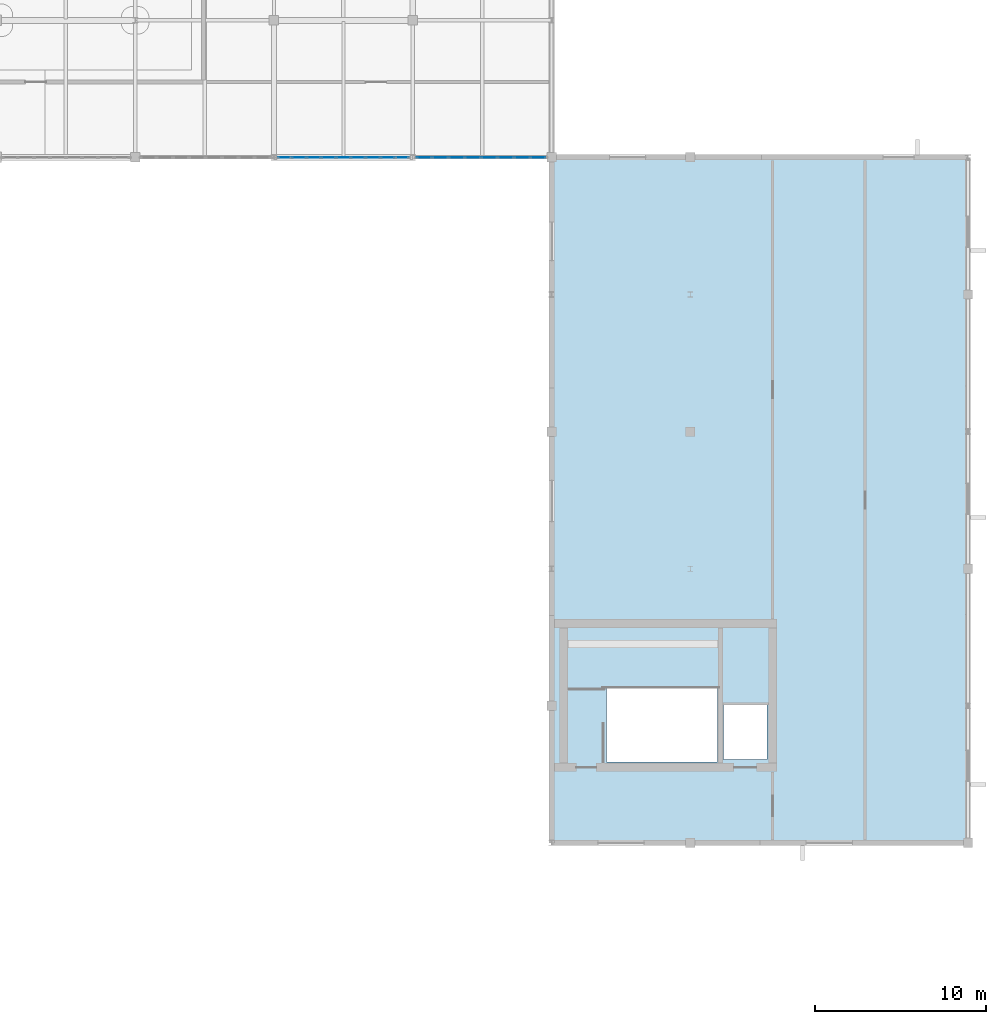
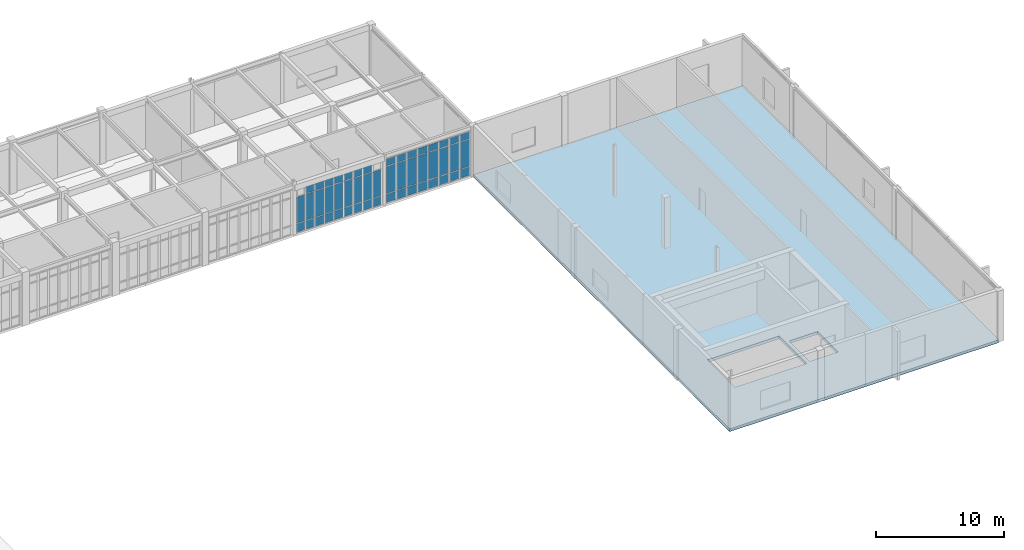
# One storey, part 49 of 70: 49 plates, 1 slab, 2 elements without a shape of their own.
"""IFC4 building model written with IfcOpenShell, lengths in metres."""

from ifc_helpers import new_model, si_unit, direction, frame, origin, origin_2d, place, context, subcontext, project, spatial, polyline, rectangle, outline, extrude, material, layer, layer_set, type_object, element, aggregate, save


model = new_model("IFC4")

# Units and contexts
model_context = context("Model", 3, precision=1e-05, world=origin(), true_north=direction((0.0, 1.0)))
body_context = subcontext(model_context, "Body", "Model", "MODEL_VIEW")
ifc_project = project(units=[si_unit("LENGTHUNIT", "METRE"), si_unit("AREAUNIT", "SQUARE_METRE"), si_unit("VOLUMEUNIT", "CUBIC_METRE"), si_unit("PLANEANGLEUNIT", "RADIAN"), si_unit("MASSUNIT", "GRAM", prefix="KILO")], contexts=[model_context])

# Site, building, storey
site_placement = place(None, origin())
site = spatial("IfcSite", under=ifc_project, at=site_placement, CompositionType="ELEMENT")
building_placement = place(site_placement, origin())
building = spatial("IfcBuilding", under=site, at=building_placement, Name="Tarnveldt Square Police Headquarters", CompositionType="ELEMENT")
storey_placement = place(building_placement, frame((0.0, 0.0, 19.800048828125)))
storey = spatial("IfcBuildingStorey", under=building, at=storey_placement, Name="L04", CompositionType="ELEMENT", Elevation=19.800048828125)

# Curtain wall, plates
ifc_material_1 = material(Name="Triple-glazed low-e laminated vision glass", Category="glass")
curtain_wall_type_1 = type_object("IfcCurtainWallType", Name="CW-LB-776x420", PredefinedType="USERDEFINED", material=ifc_material_1)
curtain_wall_1_placement = place(storey_placement, origin())
curtain_wall_1 = element("IfcCurtainWall", 1, at=curtain_wall_1_placement, inside=storey, type_object=curtain_wall_type_1, Name="L04 Curtain Wall CW-L04-131", ObjectType="GLAZED CURTAIN WALL", PredefinedType="USERDEFINED")
ifc_layer_1 = layer(ifc_material_1, 0.028076171875)
ifc_layer_set_1 = layer_set([ifc_layer_1], Name="Triple-glazed low-e laminated vision glass")
plate_type = type_object("IfcPlateType", Name="CWP-VIS-28", PredefinedType="CURTAIN_PANEL", material=ifc_layer_set_1)
plate_1_placement = place(storey_placement, frame((89.718994140625, 96.0, 0.06494140625), z_axis=(0.0, 0.0, 1.0), x_axis=(1.0, 0.0, 0.0)))
plate_1 = element("IfcPlate", 2, at=plate_1_placement, type_object=plate_type, Name="CW-LB79 panel 1.1", PredefinedType="CURTAIN_PANEL", context=body_context, shape_type="SweptSolid", body=[
    extrude(rectangle(XDim=0.75, YDim=0.028076171875, at=origin_2d()), origin(), (0.0, 0.0, 1.0), 0.802490234375),
])
plate_2_placement = place(storey_placement, frame((89.718994140625, 96.0, 0.9326171875), z_axis=(0.0, 0.0, 1.0), x_axis=(1.0, 0.0, 0.0)))
plate_2 = element("IfcPlate", 3, at=plate_2_placement, type_object=plate_type, Name="CW-LB79 panel 1.2", PredefinedType="CURTAIN_PANEL", context=body_context, shape_type="SweptSolid", body=[
    extrude(rectangle(XDim=0.75, YDim=0.028076171875, at=origin_2d()), origin(), (0.0, 0.0, 1.0), 2.487060546875),
])
plate_3_placement = place(storey_placement, frame((90.562744140625, 96.0, 0.06494140625), z_axis=(0.0, 0.0, 1.0), x_axis=(1.0, 0.0, 0.0)))
plate_3 = element("IfcPlate", 4, at=plate_3_placement, type_object=plate_type, Name="CW-LB79 panel 2.1", PredefinedType="CURTAIN_PANEL", context=body_context, shape_type="SweptSolid", body=[
    extrude(rectangle(XDim=0.787353515625, YDim=0.028076171875, at=origin_2d()), origin(), (0.0, 0.0, 1.0), 0.802490234375),
])
plate_4_placement = place(storey_placement, frame((90.562744140625, 96.0, 0.9326171875), z_axis=(0.0, 0.0, 1.0), x_axis=(1.0, 0.0, 0.0)))
plate_4 = element("IfcPlate", 5, at=plate_4_placement, type_object=plate_type, Name="CW-LB79 panel 2.2", PredefinedType="CURTAIN_PANEL", context=body_context, shape_type="SweptSolid", body=[
    extrude(rectangle(XDim=0.787353515625, YDim=0.028076171875, at=origin_2d()), origin(), (0.0, 0.0, 1.0), 2.487060546875),
])
plate_5_placement = place(storey_placement, frame((90.562744140625, 96.0, 3.484375), z_axis=(0.0, 0.0, 1.0), x_axis=(1.0, 0.0, 0.0)))
plate_5 = element("IfcPlate", 6, at=plate_5_placement, type_object=plate_type, Name="CW-LB79 panel 2.3", PredefinedType="CURTAIN_PANEL", context=body_context, shape_type="SweptSolid", body=[
    extrude(rectangle(XDim=0.787353515625, YDim=0.028076171875, at=origin_2d()), origin(), (0.0, 0.0, 1.0), 0.652587890625),
])
plate_6_placement = place(storey_placement, frame((91.425048828125, 96.0, 0.06494140625), z_axis=(0.0, 0.0, 1.0), x_axis=(1.0, 0.0, 0.0)))
plate_6 = element("IfcPlate", 7, at=plate_6_placement, type_object=plate_type, Name="CW-LB79 panel 3.1", PredefinedType="CURTAIN_PANEL", context=body_context, shape_type="SweptSolid", body=[
    extrude(rectangle(XDim=0.787353515625, YDim=0.028076171875, at=origin_2d()), origin(), (0.0, 0.0, 1.0), 0.802490234375),
])
plate_7_placement = place(storey_placement, frame((91.425048828125, 96.0, 0.9326171875), z_axis=(0.0, 0.0, 1.0), x_axis=(1.0, 0.0, 0.0)))
plate_7 = element("IfcPlate", 8, at=plate_7_placement, type_object=plate_type, Name="CW-LB79 panel 3.2", PredefinedType="CURTAIN_PANEL", context=body_context, shape_type="SweptSolid", body=[
    extrude(rectangle(XDim=0.787353515625, YDim=0.028076171875, at=origin_2d()), origin(), (0.0, 0.0, 1.0), 2.487060546875),
])
plate_8_placement = place(storey_placement, frame((91.425048828125, 96.0, 3.484375), z_axis=(0.0, 0.0, 1.0), x_axis=(1.0, 0.0, 0.0)))
plate_8 = element("IfcPlate", 9, at=plate_8_placement, type_object=plate_type, Name="CW-LB79 panel 3.3", PredefinedType="CURTAIN_PANEL", context=body_context, shape_type="SweptSolid", body=[
    extrude(rectangle(XDim=0.787353515625, YDim=0.028076171875, at=origin_2d()), origin(), (0.0, 0.0, 1.0), 0.652587890625),
])
plate_9_placement = place(storey_placement, frame((92.28759765625, 96.0, 0.06494140625), z_axis=(0.0, 0.0, 1.0), x_axis=(1.0, 0.0, 0.0)))
plate_9 = element("IfcPlate", 10, at=plate_9_placement, type_object=plate_type, Name="CW-LB79 panel 4.1", PredefinedType="CURTAIN_PANEL", context=body_context, shape_type="SweptSolid", body=[
    extrude(rectangle(XDim=0.787353515625, YDim=0.028076171875, at=origin_2d()), origin(), (0.0, 0.0, 1.0), 0.802490234375),
])
plate_10_placement = place(storey_placement, frame((92.28759765625, 96.0, 0.9326171875), z_axis=(0.0, 0.0, 1.0), x_axis=(1.0, 0.0, 0.0)))
plate_10 = element("IfcPlate", 11, at=plate_10_placement, type_object=plate_type, Name="CW-LB79 panel 4.2", PredefinedType="CURTAIN_PANEL", context=body_context, shape_type="SweptSolid", body=[
    extrude(rectangle(XDim=0.787353515625, YDim=0.028076171875, at=origin_2d()), origin(), (0.0, 0.0, 1.0), 2.487060546875),
])
plate_11_placement = place(storey_placement, frame((92.28759765625, 96.0, 3.484375), z_axis=(0.0, 0.0, 1.0), x_axis=(1.0, 0.0, 0.0)))
plate_11 = element("IfcPlate", 12, at=plate_11_placement, type_object=plate_type, Name="CW-LB79 panel 4.3", PredefinedType="CURTAIN_PANEL", context=body_context, shape_type="SweptSolid", body=[
    extrude(rectangle(XDim=0.787353515625, YDim=0.028076171875, at=origin_2d()), origin(), (0.0, 0.0, 1.0), 0.652587890625),
])
plate_12_placement = place(storey_placement, frame((93.14990234375, 96.0, 0.06494140625), z_axis=(0.0, 0.0, 1.0), x_axis=(1.0, 0.0, 0.0)))
plate_12 = element("IfcPlate", 13, at=plate_12_placement, type_object=plate_type, Name="CW-LB79 panel 5.1", PredefinedType="CURTAIN_PANEL", context=body_context, shape_type="SweptSolid", body=[
    extrude(rectangle(XDim=0.787353515625, YDim=0.028076171875, at=origin_2d()), origin(), (0.0, 0.0, 1.0), 0.802490234375),
])
plate_13_placement = place(storey_placement, frame((93.14990234375, 96.0, 0.9326171875), z_axis=(0.0, 0.0, 1.0), x_axis=(1.0, 0.0, 0.0)))
plate_13 = element("IfcPlate", 14, at=plate_13_placement, type_object=plate_type, Name="CW-LB79 panel 5.2", PredefinedType="CURTAIN_PANEL", context=body_context, shape_type="SweptSolid", body=[
    extrude(rectangle(XDim=0.787353515625, YDim=0.028076171875, at=origin_2d()), origin(), (0.0, 0.0, 1.0), 2.487060546875),
])
plate_14_placement = place(storey_placement, frame((93.14990234375, 96.0, 3.484375), z_axis=(0.0, 0.0, 1.0), x_axis=(1.0, 0.0, 0.0)))
plate_14 = element("IfcPlate", 15, at=plate_14_placement, type_object=plate_type, Name="CW-LB79 panel 5.3", PredefinedType="CURTAIN_PANEL", context=body_context, shape_type="SweptSolid", body=[
    extrude(rectangle(XDim=0.787353515625, YDim=0.028076171875, at=origin_2d()), origin(), (0.0, 0.0, 1.0), 0.652587890625),
])
plate_15_placement = place(storey_placement, frame((94.012451171875, 96.0, 0.06494140625), z_axis=(0.0, 0.0, 1.0), x_axis=(1.0, 0.0, 0.0)))
plate_15 = element("IfcPlate", 16, at=plate_15_placement, type_object=plate_type, Name="CW-LB79 panel 6.1", PredefinedType="CURTAIN_PANEL", context=body_context, shape_type="SweptSolid", body=[
    extrude(rectangle(XDim=0.787353515625, YDim=0.028076171875, at=origin_2d()), origin(), (0.0, 0.0, 1.0), 0.802490234375),
])
plate_16_placement = place(storey_placement, frame((94.012451171875, 96.0, 0.9326171875), z_axis=(0.0, 0.0, 1.0), x_axis=(1.0, 0.0, 0.0)))
plate_16 = element("IfcPlate", 17, at=plate_16_placement, type_object=plate_type, Name="CW-LB79 panel 6.2", PredefinedType="CURTAIN_PANEL", context=body_context, shape_type="SweptSolid", body=[
    extrude(rectangle(XDim=0.787353515625, YDim=0.028076171875, at=origin_2d()), origin(), (0.0, 0.0, 1.0), 2.487060546875),
])
plate_17_placement = place(storey_placement, frame((94.012451171875, 96.0, 3.484375), z_axis=(0.0, 0.0, 1.0), x_axis=(1.0, 0.0, 0.0)))
plate_17 = element("IfcPlate", 18, at=plate_17_placement, type_object=plate_type, Name="CW-LB79 panel 6.3", PredefinedType="CURTAIN_PANEL", context=body_context, shape_type="SweptSolid", body=[
    extrude(rectangle(XDim=0.787353515625, YDim=0.028076171875, at=origin_2d()), origin(), (0.0, 0.0, 1.0), 0.652587890625),
])
plate_18_placement = place(storey_placement, frame((94.875, 96.0, 0.06494140625), z_axis=(0.0, 0.0, 1.0), x_axis=(1.0, 0.0, 0.0)))
plate_18 = element("IfcPlate", 19, at=plate_18_placement, type_object=plate_type, Name="CW-LB79 panel 7.1", PredefinedType="CURTAIN_PANEL", context=body_context, shape_type="SweptSolid", body=[
    extrude(rectangle(XDim=0.787353515625, YDim=0.028076171875, at=origin_2d()), origin(), (0.0, 0.0, 1.0), 0.802490234375),
])
plate_19_placement = place(storey_placement, frame((94.875, 96.0, 0.9326171875), z_axis=(0.0, 0.0, 1.0), x_axis=(1.0, 0.0, 0.0)))
plate_19 = element("IfcPlate", 20, at=plate_19_placement, type_object=plate_type, Name="CW-LB79 panel 7.2", PredefinedType="CURTAIN_PANEL", context=body_context, shape_type="SweptSolid", body=[
    extrude(rectangle(XDim=0.787353515625, YDim=0.028076171875, at=origin_2d()), origin(), (0.0, 0.0, 1.0), 2.487060546875),
])
plate_20_placement = place(storey_placement, frame((94.875, 96.0, 3.484375), z_axis=(0.0, 0.0, 1.0), x_axis=(1.0, 0.0, 0.0)))
plate_20 = element("IfcPlate", 21, at=plate_20_placement, type_object=plate_type, Name="CW-LB79 panel 7.3", PredefinedType="CURTAIN_PANEL", context=body_context, shape_type="SweptSolid", body=[
    extrude(rectangle(XDim=0.787353515625, YDim=0.028076171875, at=origin_2d()), origin(), (0.0, 0.0, 1.0), 0.652587890625),
])
plate_21_placement = place(storey_placement, frame((95.7373046875, 96.0, 0.06494140625), z_axis=(0.0, 0.0, 1.0), x_axis=(1.0, 0.0, 0.0)))
plate_21 = element("IfcPlate", 22, at=plate_21_placement, type_object=plate_type, Name="CW-LB79 panel 8.1", PredefinedType="CURTAIN_PANEL", context=body_context, shape_type="SweptSolid", body=[
    extrude(rectangle(XDim=0.787353515625, YDim=0.028076171875, at=origin_2d()), origin(), (0.0, 0.0, 1.0), 0.802490234375),
])
plate_22_placement = place(storey_placement, frame((95.7373046875, 96.0, 0.9326171875), z_axis=(0.0, 0.0, 1.0), x_axis=(1.0, 0.0, 0.0)))
plate_22 = element("IfcPlate", 23, at=plate_22_placement, type_object=plate_type, Name="CW-LB79 panel 8.2", PredefinedType="CURTAIN_PANEL", context=body_context, shape_type="SweptSolid", body=[
    extrude(rectangle(XDim=0.787353515625, YDim=0.028076171875, at=origin_2d()), origin(), (0.0, 0.0, 1.0), 2.487060546875),
])
plate_23_placement = place(storey_placement, frame((95.7373046875, 96.0, 3.484375), z_axis=(0.0, 0.0, 1.0), x_axis=(1.0, 0.0, 0.0)))
plate_23 = element("IfcPlate", 24, at=plate_23_placement, type_object=plate_type, Name="CW-LB79 panel 8.3", PredefinedType="CURTAIN_PANEL", context=body_context, shape_type="SweptSolid", body=[
    extrude(rectangle(XDim=0.787353515625, YDim=0.028076171875, at=origin_2d()), origin(), (0.0, 0.0, 1.0), 0.652587890625),
])
plate_24_placement = place(storey_placement, frame((96.5810546875, 96.0, 0.06494140625), z_axis=(0.0, 0.0, 1.0), x_axis=(1.0, 0.0, 0.0)))
plate_24 = element("IfcPlate", 25, at=plate_24_placement, type_object=plate_type, Name="CW-LB79 panel 9.1", PredefinedType="CURTAIN_PANEL", context=body_context, shape_type="SweptSolid", body=[
    extrude(rectangle(XDim=0.75, YDim=0.028076171875, at=origin_2d()), origin(), (0.0, 0.0, 1.0), 0.802490234375),
])
plate_25_placement = place(storey_placement, frame((96.5810546875, 96.0, 0.9326171875), z_axis=(0.0, 0.0, 1.0), x_axis=(1.0, 0.0, 0.0)))
plate_25 = element("IfcPlate", 26, at=plate_25_placement, type_object=plate_type, Name="CW-LB79 panel 9.2", PredefinedType="CURTAIN_PANEL", context=body_context, shape_type="SweptSolid", body=[
    extrude(rectangle(XDim=0.75, YDim=0.028076171875, at=origin_2d()), origin(), (0.0, 0.0, 1.0), 2.487060546875),
])
aggregate(curtain_wall_1, [plate_1, plate_2, plate_3, plate_4, plate_5, plate_6, plate_7, plate_8, plate_9, plate_10, plate_11, plate_12, plate_13, plate_14, plate_15, plate_16, plate_17, plate_18, plate_19, plate_20, plate_21, plate_22, plate_23, plate_24, plate_25])

curtain_wall_type_2 = type_object("IfcCurtainWallType", Name="CW-LB-764x429", PredefinedType="USERDEFINED", material=ifc_material_1)
curtain_wall_2_placement = place(storey_placement, origin())
curtain_wall_2 = element("IfcCurtainWall", 27, at=curtain_wall_2_placement, inside=storey, type_object=curtain_wall_type_2, Name="L04 Curtain Wall CW-L04-132", ObjectType="GLAZED CURTAIN WALL", PredefinedType="USERDEFINED")
plate_26_placement = place(storey_placement, frame((97.865234375, 96.0, 0.06494140625), z_axis=(0.0, 0.0, 1.0), x_axis=(1.0, 0.0, 0.0)))
plate_26 = element("IfcPlate", 28, at=plate_26_placement, type_object=plate_type, Name="CW-LB78 panel 1.1", PredefinedType="CURTAIN_PANEL", context=body_context, shape_type="SweptSolid", body=[
    extrude(rectangle(XDim=0.842529296875, YDim=0.028076171875, at=origin_2d()), origin(), (0.0, 0.0, 1.0), 0.802490234375),
])
plate_27_placement = place(storey_placement, frame((97.865234375, 96.0, 0.9326171875), z_axis=(0.0, 0.0, 1.0), x_axis=(1.0, 0.0, 0.0)))
plate_27 = element("IfcPlate", 29, at=plate_27_placement, type_object=plate_type, Name="CW-LB78 panel 1.2", PredefinedType="CURTAIN_PANEL", context=body_context, shape_type="SweptSolid", body=[
    extrude(rectangle(XDim=0.842529296875, YDim=0.028076171875, at=origin_2d()), origin(), (0.0, 0.0, 1.0), 2.573974609375),
])
plate_28_placement = place(storey_placement, frame((97.865234375, 96.0, 3.5712890625), z_axis=(0.0, 0.0, 1.0), x_axis=(1.0, 0.0, 0.0)))
plate_28 = element("IfcPlate", 30, at=plate_28_placement, type_object=plate_type, Name="CW-LB78 panel 1.3", PredefinedType="CURTAIN_PANEL", context=body_context, shape_type="SweptSolid", body=[
    extrude(rectangle(XDim=0.842529296875, YDim=0.028076171875, at=origin_2d()), origin(), (0.0, 0.0, 1.0), 0.652587890625),
])
plate_29_placement = place(storey_placement, frame((98.8017578125, 96.0, 0.06494140625), z_axis=(0.0, 0.0, 1.0), x_axis=(1.0, 0.0, 0.0)))
plate_29 = element("IfcPlate", 31, at=plate_29_placement, type_object=plate_type, Name="CW-LB78 panel 2.1", PredefinedType="CURTAIN_PANEL", context=body_context, shape_type="SweptSolid", body=[
    extrude(rectangle(XDim=0.880126953125, YDim=0.028076171875, at=origin_2d()), origin(), (0.0, 0.0, 1.0), 0.802490234375),
])
plate_30_placement = place(storey_placement, frame((98.8017578125, 96.0, 0.9326171875), z_axis=(0.0, 0.0, 1.0), x_axis=(1.0, 0.0, 0.0)))
plate_30 = element("IfcPlate", 32, at=plate_30_placement, type_object=plate_type, Name="CW-LB78 panel 2.2", PredefinedType="CURTAIN_PANEL", context=body_context, shape_type="SweptSolid", body=[
    extrude(rectangle(XDim=0.880126953125, YDim=0.028076171875, at=origin_2d()), origin(), (0.0, 0.0, 1.0), 2.573974609375),
])
plate_31_placement = place(storey_placement, frame((98.8017578125, 96.0, 3.5712890625), z_axis=(0.0, 0.0, 1.0), x_axis=(1.0, 0.0, 0.0)))
plate_31 = element("IfcPlate", 33, at=plate_31_placement, type_object=plate_type, Name="CW-LB78 panel 2.3", PredefinedType="CURTAIN_PANEL", context=body_context, shape_type="SweptSolid", body=[
    extrude(rectangle(XDim=0.880126953125, YDim=0.028076171875, at=origin_2d()), origin(), (0.0, 0.0, 1.0), 0.652587890625),
])
plate_32_placement = place(storey_placement, frame((99.7568359375, 96.0, 0.06494140625), z_axis=(0.0, 0.0, 1.0), x_axis=(1.0, 0.0, 0.0)))
plate_32 = element("IfcPlate", 34, at=plate_32_placement, type_object=plate_type, Name="CW-LB78 panel 3.1", PredefinedType="CURTAIN_PANEL", context=body_context, shape_type="SweptSolid", body=[
    extrude(rectangle(XDim=0.880126953125, YDim=0.028076171875, at=origin_2d()), origin(), (0.0, 0.0, 1.0), 0.802490234375),
])
plate_33_placement = place(storey_placement, frame((99.7568359375, 96.0, 0.9326171875), z_axis=(0.0, 0.0, 1.0), x_axis=(1.0, 0.0, 0.0)))
plate_33 = element("IfcPlate", 35, at=plate_33_placement, type_object=plate_type, Name="CW-LB78 panel 3.2", PredefinedType="CURTAIN_PANEL", context=body_context, shape_type="SweptSolid", body=[
    extrude(rectangle(XDim=0.880126953125, YDim=0.028076171875, at=origin_2d()), origin(), (0.0, 0.0, 1.0), 2.573974609375),
])
plate_34_placement = place(storey_placement, frame((99.7568359375, 96.0, 3.5712890625), z_axis=(0.0, 0.0, 1.0), x_axis=(1.0, 0.0, 0.0)))
plate_34 = element("IfcPlate", 36, at=plate_34_placement, type_object=plate_type, Name="CW-LB78 panel 3.3", PredefinedType="CURTAIN_PANEL", context=body_context, shape_type="SweptSolid", body=[
    extrude(rectangle(XDim=0.880126953125, YDim=0.028076171875, at=origin_2d()), origin(), (0.0, 0.0, 1.0), 0.652587890625),
])
plate_35_placement = place(storey_placement, frame((100.7119140625, 96.0, 0.06494140625), z_axis=(0.0, 0.0, 1.0), x_axis=(1.0, 0.0, 0.0)))
plate_35 = element("IfcPlate", 37, at=plate_35_placement, type_object=plate_type, Name="CW-LB78 panel 4.1", PredefinedType="CURTAIN_PANEL", context=body_context, shape_type="SweptSolid", body=[
    extrude(rectangle(XDim=0.880126953125, YDim=0.028076171875, at=origin_2d()), origin(), (0.0, 0.0, 1.0), 0.802490234375),
])
plate_36_placement = place(storey_placement, frame((100.7119140625, 96.0, 0.9326171875), z_axis=(0.0, 0.0, 1.0), x_axis=(1.0, 0.0, 0.0)))
plate_36 = element("IfcPlate", 38, at=plate_36_placement, type_object=plate_type, Name="CW-LB78 panel 4.2", PredefinedType="CURTAIN_PANEL", context=body_context, shape_type="SweptSolid", body=[
    extrude(rectangle(XDim=0.880126953125, YDim=0.028076171875, at=origin_2d()), origin(), (0.0, 0.0, 1.0), 2.573974609375),
])
plate_37_placement = place(storey_placement, frame((100.7119140625, 96.0, 3.5712890625), z_axis=(0.0, 0.0, 1.0), x_axis=(1.0, 0.0, 0.0)))
plate_37 = element("IfcPlate", 39, at=plate_37_placement, type_object=plate_type, Name="CW-LB78 panel 4.3", PredefinedType="CURTAIN_PANEL", context=body_context, shape_type="SweptSolid", body=[
    extrude(rectangle(XDim=0.880126953125, YDim=0.028076171875, at=origin_2d()), origin(), (0.0, 0.0, 1.0), 0.652587890625),
])
plate_38_placement = place(storey_placement, frame((101.6669921875, 96.0, 0.06494140625), z_axis=(0.0, 0.0, 1.0), x_axis=(1.0, 0.0, 0.0)))
plate_38 = element("IfcPlate", 40, at=plate_38_placement, type_object=plate_type, Name="CW-LB78 panel 5.1", PredefinedType="CURTAIN_PANEL", context=body_context, shape_type="SweptSolid", body=[
    extrude(rectangle(XDim=0.880126953125, YDim=0.028076171875, at=origin_2d()), origin(), (0.0, 0.0, 1.0), 0.802490234375),
])
plate_39_placement = place(storey_placement, frame((101.6669921875, 96.0, 0.9326171875), z_axis=(0.0, 0.0, 1.0), x_axis=(1.0, 0.0, 0.0)))
plate_39 = element("IfcPlate", 41, at=plate_39_placement, type_object=plate_type, Name="CW-LB78 panel 5.2", PredefinedType="CURTAIN_PANEL", context=body_context, shape_type="SweptSolid", body=[
    extrude(rectangle(XDim=0.880126953125, YDim=0.028076171875, at=origin_2d()), origin(), (0.0, 0.0, 1.0), 2.573974609375),
])
plate_40_placement = place(storey_placement, frame((101.6669921875, 96.0, 3.5712890625), z_axis=(0.0, 0.0, 1.0), x_axis=(1.0, 0.0, 0.0)))
plate_40 = element("IfcPlate", 42, at=plate_40_placement, type_object=plate_type, Name="CW-LB78 panel 5.3", PredefinedType="CURTAIN_PANEL", context=body_context, shape_type="SweptSolid", body=[
    extrude(rectangle(XDim=0.880126953125, YDim=0.028076171875, at=origin_2d()), origin(), (0.0, 0.0, 1.0), 0.652587890625),
])
plate_41_placement = place(storey_placement, frame((102.6220703125, 96.0, 0.06494140625), z_axis=(0.0, 0.0, 1.0), x_axis=(1.0, 0.0, 0.0)))
plate_41 = element("IfcPlate", 43, at=plate_41_placement, type_object=plate_type, Name="CW-LB78 panel 6.1", PredefinedType="CURTAIN_PANEL", context=body_context, shape_type="SweptSolid", body=[
    extrude(rectangle(XDim=0.880126953125, YDim=0.028076171875, at=origin_2d()), origin(), (0.0, 0.0, 1.0), 0.802490234375),
])
plate_42_placement = place(storey_placement, frame((102.6220703125, 96.0, 0.9326171875), z_axis=(0.0, 0.0, 1.0), x_axis=(1.0, 0.0, 0.0)))
plate_42 = element("IfcPlate", 44, at=plate_42_placement, type_object=plate_type, Name="CW-LB78 panel 6.2", PredefinedType="CURTAIN_PANEL", context=body_context, shape_type="SweptSolid", body=[
    extrude(rectangle(XDim=0.880126953125, YDim=0.028076171875, at=origin_2d()), origin(), (0.0, 0.0, 1.0), 2.573974609375),
])
plate_43_placement = place(storey_placement, frame((102.6220703125, 96.0, 3.5712890625), z_axis=(0.0, 0.0, 1.0), x_axis=(1.0, 0.0, 0.0)))
plate_43 = element("IfcPlate", 45, at=plate_43_placement, type_object=plate_type, Name="CW-LB78 panel 6.3", PredefinedType="CURTAIN_PANEL", context=body_context, shape_type="SweptSolid", body=[
    extrude(rectangle(XDim=0.880126953125, YDim=0.028076171875, at=origin_2d()), origin(), (0.0, 0.0, 1.0), 0.652587890625),
])
plate_44_placement = place(storey_placement, frame((103.577392578125, 96.0, 0.06494140625), z_axis=(0.0, 0.0, 1.0), x_axis=(1.0, 0.0, 0.0)))
plate_44 = element("IfcPlate", 46, at=plate_44_placement, type_object=plate_type, Name="CW-LB78 panel 7.1", PredefinedType="CURTAIN_PANEL", context=body_context, shape_type="SweptSolid", body=[
    extrude(rectangle(XDim=0.880126953125, YDim=0.028076171875, at=origin_2d()), origin(), (0.0, 0.0, 1.0), 0.802490234375),
])
plate_45_placement = place(storey_placement, frame((103.577392578125, 96.0, 0.9326171875), z_axis=(0.0, 0.0, 1.0), x_axis=(1.0, 0.0, 0.0)))
plate_45 = element("IfcPlate", 47, at=plate_45_placement, type_object=plate_type, Name="CW-LB78 panel 7.2", PredefinedType="CURTAIN_PANEL", context=body_context, shape_type="SweptSolid", body=[
    extrude(rectangle(XDim=0.880126953125, YDim=0.028076171875, at=origin_2d()), origin(), (0.0, 0.0, 1.0), 2.573974609375),
])
plate_46_placement = place(storey_placement, frame((103.577392578125, 96.0, 3.5712890625), z_axis=(0.0, 0.0, 1.0), x_axis=(1.0, 0.0, 0.0)))
plate_46 = element("IfcPlate", 48, at=plate_46_placement, type_object=plate_type, Name="CW-LB78 panel 7.3", PredefinedType="CURTAIN_PANEL", context=body_context, shape_type="SweptSolid", body=[
    extrude(rectangle(XDim=0.880126953125, YDim=0.028076171875, at=origin_2d()), origin(), (0.0, 0.0, 1.0), 0.652587890625),
])
plate_47_placement = place(storey_placement, frame((104.513671875, 96.0, 0.06494140625), z_axis=(0.0, 0.0, 1.0), x_axis=(1.0, 0.0, 0.0)))
plate_47 = element("IfcPlate", 49, at=plate_47_placement, type_object=plate_type, Name="CW-LB78 panel 8.1", PredefinedType="CURTAIN_PANEL", context=body_context, shape_type="SweptSolid", body=[
    extrude(rectangle(XDim=0.842529296875, YDim=0.028076171875, at=origin_2d()), origin(), (0.0, 0.0, 1.0), 0.802490234375),
])
plate_48_placement = place(storey_placement, frame((104.513671875, 96.0, 0.9326171875), z_axis=(0.0, 0.0, 1.0), x_axis=(1.0, 0.0, 0.0)))
plate_48 = element("IfcPlate", 50, at=plate_48_placement, type_object=plate_type, Name="CW-LB78 panel 8.2", PredefinedType="CURTAIN_PANEL", context=body_context, shape_type="SweptSolid", body=[
    extrude(rectangle(XDim=0.842529296875, YDim=0.028076171875, at=origin_2d()), origin(), (0.0, 0.0, 1.0), 2.573974609375),
])
plate_49_placement = place(storey_placement, frame((104.513671875, 96.0, 3.5712890625), z_axis=(0.0, 0.0, 1.0), x_axis=(1.0, 0.0, 0.0)))
plate_49 = element("IfcPlate", 51, at=plate_49_placement, type_object=plate_type, Name="CW-LB78 panel 8.3", PredefinedType="CURTAIN_PANEL", context=body_context, shape_type="SweptSolid", body=[
    extrude(rectangle(XDim=0.842529296875, YDim=0.028076171875, at=origin_2d()), origin(), (0.0, 0.0, 1.0), 0.652587890625),
])
aggregate(curtain_wall_2, [plate_26, plate_27, plate_28, plate_29, plate_30, plate_31, plate_32, plate_33, plate_34, plate_35, plate_36, plate_37, plate_38, plate_39, plate_40, plate_41, plate_42, plate_43, plate_44, plate_45, plate_46, plate_47, plate_48, plate_49])

# Slab
ifc_material_2 = material(Name="Concrete 40 MPa", Category="concrete")
ifc_layer_2 = layer(ifc_material_2, 0.260009765625)
ifc_layer_set_2 = layer_set([ifc_layer_2], Name="Concrete 40 MPa")
slab_type = type_object("IfcSlabType", Name="SL-MID-260", PredefinedType="FLOOR", material=ifc_layer_set_2)
slab_placement = place(storey_placement, frame((0.0, 0.0, -0.260009765625)))
element("IfcSlab", 52, at=slab_placement, inside=storey, type_object=slab_type, Name="L04 Structural Floor Slab L04-V7-1", PredefinedType="FLOOR", context=body_context, shape_type="SweptSolid", body=[
    extrude(outline(polyline([(129.60009765625, 96.0), (129.60009765625, 56.0), (105.300048828125, 56.0), (105.300048828125, 96.0), (129.60009765625, 96.0)]), holes=[polyline([(115.330078125, 64.050048828125), (115.330078125, 60.85009765625), (117.8798828125, 60.85009765625), (117.8798828125, 64.050048828125), (115.330078125, 64.050048828125)]), polyline([(108.510009765625, 65.02001953125), (108.510009765625, 60.719970703125), (114.969970703125, 60.719970703125), (114.969970703125, 65.02001953125), (108.510009765625, 65.02001953125)])]), origin(), (0.0, 0.0, 1.0), 0.260009765625),
])

save(model, "model.ifc")
